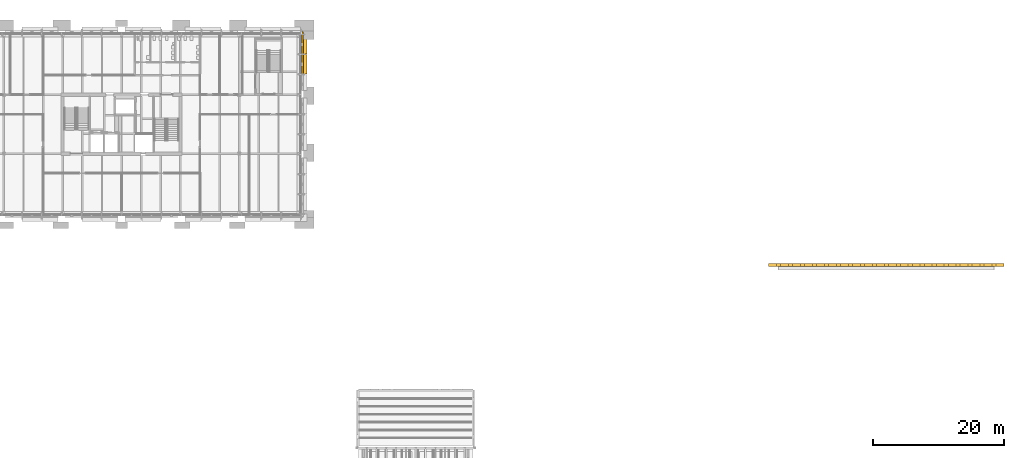
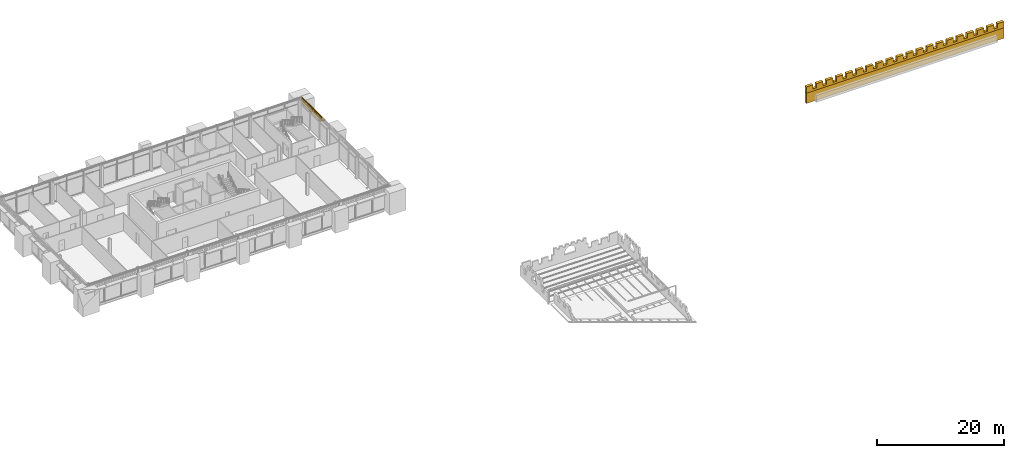
# One storey, part 35 of 37: 4 shading devices, 2 coverings.
"""IFC4 building model written with IfcOpenShell, lengths in metres."""

from ifc_helpers import new_model, si_unit, direction, frame, origin, origin_2d, place, context, subcontext, project, spatial, polyline, rectangle, outline, extrude, material, layer, layer_set, type_object, element, save


model = new_model("IFC4")

# Units and contexts
model_context = context("Model", 3, precision=1e-05, world=origin(), true_north=direction((0.0, 1.0)))
body_context = subcontext(model_context, "Body", "Model", "MODEL_VIEW")
ifc_project = project(units=[si_unit("LENGTHUNIT", "METRE"), si_unit("AREAUNIT", "SQUARE_METRE"), si_unit("VOLUMEUNIT", "CUBIC_METRE"), si_unit("PLANEANGLEUNIT", "RADIAN"), si_unit("MASSUNIT", "GRAM", prefix="KILO")], contexts=[model_context])

# Site, building, storey
site_placement = place(None, origin())
site = spatial("IfcSite", under=ifc_project, at=site_placement, CompositionType="ELEMENT")
building_placement = place(site_placement, origin())
building = spatial("IfcBuilding", under=site, at=building_placement, Name="Baradari Gate Terminus", CompositionType="ELEMENT")
storey_placement = place(building_placement, frame((0.0, 0.0, 24.300048828125)))
storey = spatial("IfcBuildingStorey", under=building, at=storey_placement, Name="L05", CompositionType="ELEMENT", Elevation=24.300048828125)

# Shading devices
ifc_material_1 = material(Name="Concrete C40/50 precast", Category="concrete")
ifc_layer_1 = layer(ifc_material_1, 0.14990234375)
ifc_layer_set_1 = layer_set([ifc_layer_1], Name="Concrete C40/50 precast")
shading_device_type_1 = type_object("IfcShadingDeviceType", Name="Chhajja band CJ-1 900x150", PredefinedType="AWNING", material=ifc_layer_set_1)
shading_device_1_placement = place(storey_placement, frame((63.919921875, 139.679931640625, 3.33251953125), z_axis=(0.0, 0.0, 1.0), x_axis=(0.0, 1.0, 0.0)))
element("IfcShadingDevice", 1, at=shading_device_1_placement, inside=storey, type_object=shading_device_type_1, Name="Chhajja band CJ-1 L05/TE bay 8", PredefinedType="AWNING", context=body_context, shape_type="SweptSolid", body=[
    extrude(rectangle(XDim=2.97998046875, YDim=0.89990234375, at=origin_2d()), origin(), (0.0, 0.0, 1.0), 0.14990234375),
])
shading_device_2_placement = place(storey_placement, frame((63.919921875, 142.7236328125, 3.33251953125), z_axis=(0.0, 0.0, 1.0), x_axis=(0.0, 1.0, 0.0)))
element("IfcShadingDevice", 2, at=shading_device_2_placement, inside=storey, type_object=shading_device_type_1, Name="Chhajja band CJ-1 L05/TE bay 9", PredefinedType="AWNING", context=body_context, shape_type="SweptSolid", body=[
    extrude(rectangle(XDim=2.947509765625, YDim=0.89990234375, at=origin_2d()), origin(), (0.0, 0.0, 1.0), 0.14990234375),
])
ifc_material_2 = material(Name="Concrete C50/60 precast", Category="concrete")
ifc_layer_2 = layer(ifc_material_2, 0.10009765625)
ifc_layer_set_2 = layer_set([ifc_layer_2], Name="Concrete C50/60 precast")
shading_device_type_2 = type_object("IfcShadingDeviceType", Name="Jali screen panel JS-1 100", PredefinedType="SHUTTER", material=ifc_layer_set_2)
shading_device_3_placement = place(storey_placement, frame((63.719970703125, 138.169921875, 3.583740234375), z_axis=(0.0, 0.0, 1.0), x_axis=(0.0, 1.0, 0.0)))
element("IfcShadingDevice", 3, at=shading_device_3_placement, inside=storey, type_object=shading_device_type_2, Name="Jali screen panel JS-1 L05/TE bay 8", PredefinedType="SHUTTER", context=body_context, shape_type="SweptSolid", body=[
    extrude(outline(polyline([(0.0, 0.0), (3.02001953125, 0.0), (3.02001953125, 0.599853515625), (0.0, 0.599853515625), (0.0, 0.0)]), holes=[polyline([(0.345703125, 0.300048828125), (0.28076171875, 0.187255859375), (0.150634765625, 0.187255859375), (0.085693359375, 0.300048828125), (0.150634765625, 0.41259765625), (0.28076171875, 0.41259765625), (0.345703125, 0.300048828125)]), polyline([(0.777099609375, 0.300048828125), (0.712158203125, 0.187255859375), (0.58203125, 0.187255859375), (0.51708984375, 0.300048828125), (0.58203125, 0.41259765625), (0.712158203125, 0.41259765625), (0.777099609375, 0.300048828125)]), polyline([(1.20849609375, 0.300048828125), (1.1435546875, 0.187255859375), (1.013671875, 0.187255859375), (0.948486328125, 0.300048828125), (1.013671875, 0.41259765625), (1.1435546875, 0.41259765625), (1.20849609375, 0.300048828125)]), polyline([(1.639892578125, 0.300048828125), (1.574951171875, 0.187255859375), (1.445068359375, 0.187255859375), (1.3798828125, 0.300048828125), (1.445068359375, 0.41259765625), (1.574951171875, 0.41259765625), (1.639892578125, 0.300048828125)]), polyline([(2.071533203125, 0.300048828125), (2.00634765625, 0.187255859375), (1.87646484375, 0.187255859375), (1.8115234375, 0.300048828125), (1.87646484375, 0.41259765625), (2.00634765625, 0.41259765625), (2.071533203125, 0.300048828125)]), polyline([(2.5029296875, 0.300048828125), (2.437744140625, 0.187255859375), (2.307861328125, 0.187255859375), (2.242919921875, 0.300048828125), (2.307861328125, 0.41259765625), (2.437744140625, 0.41259765625), (2.5029296875, 0.300048828125)]), polyline([(2.934326171875, 0.300048828125), (2.869384765625, 0.187255859375), (2.7392578125, 0.187255859375), (2.67431640625, 0.300048828125), (2.7392578125, 0.41259765625), (2.869384765625, 0.41259765625), (2.934326171875, 0.300048828125)])]), frame((0.0, 0.050048828125, 0.0), z_axis=(0.0, -1.0, 0.0), x_axis=(1.0, 0.0, 0.0)), (0.0, 0.0, 1.0), 0.10009765625),
])
shading_device_4_placement = place(storey_placement, frame((63.719970703125, 141.22998046875, 3.583740234375), z_axis=(0.0, 0.0, 1.0), x_axis=(0.0, 1.0, 0.0)))
element("IfcShadingDevice", 4, at=shading_device_4_placement, inside=storey, type_object=shading_device_type_2, Name="Jali screen panel JS-1 L05/TE bay 9", PredefinedType="SHUTTER", context=body_context, shape_type="SweptSolid", body=[
    extrude(outline(polyline([(0.0, 0.0), (3.407470703125, 0.0), (3.407470703125, 0.599853515625), (0.0, 0.599853515625), (0.0, 0.0)]), holes=[polyline([(0.343017578125, 0.300048828125), (0.278076171875, 0.187255859375), (0.14794921875, 0.187255859375), (0.0830078125, 0.300048828125), (0.14794921875, 0.41259765625), (0.278076171875, 0.41259765625), (0.343017578125, 0.300048828125)]), polyline([(0.768798828125, 0.300048828125), (0.703857421875, 0.187255859375), (0.573974609375, 0.187255859375), (0.5087890625, 0.300048828125), (0.573974609375, 0.41259765625), (0.703857421875, 0.41259765625), (0.768798828125, 0.300048828125)]), polyline([(1.19482421875, 0.300048828125), (1.1298828125, 0.187255859375), (0.999755859375, 0.187255859375), (0.934814453125, 0.300048828125), (0.999755859375, 0.41259765625), (1.1298828125, 0.41259765625), (1.19482421875, 0.300048828125)]), polyline([(1.620849609375, 0.300048828125), (1.5556640625, 0.187255859375), (1.42578125, 0.187255859375), (1.36083984375, 0.300048828125), (1.42578125, 0.41259765625), (1.5556640625, 0.41259765625), (1.620849609375, 0.300048828125)]), polyline([(2.046630859375, 0.300048828125), (1.981689453125, 0.187255859375), (1.851806640625, 0.187255859375), (1.78662109375, 0.300048828125), (1.851806640625, 0.41259765625), (1.981689453125, 0.41259765625), (2.046630859375, 0.300048828125)]), polyline([(2.47265625, 0.300048828125), (2.40771484375, 0.187255859375), (2.277587890625, 0.187255859375), (2.212646484375, 0.300048828125), (2.277587890625, 0.41259765625), (2.40771484375, 0.41259765625), (2.47265625, 0.300048828125)]), polyline([(2.898681640625, 0.300048828125), (2.83349609375, 0.187255859375), (2.70361328125, 0.187255859375), (2.638671875, 0.300048828125), (2.70361328125, 0.41259765625), (2.83349609375, 0.41259765625), (2.898681640625, 0.300048828125)]), polyline([(3.324462890625, 0.300048828125), (3.259521484375, 0.187255859375), (3.129638671875, 0.187255859375), (3.064453125, 0.300048828125), (3.129638671875, 0.41259765625), (3.259521484375, 0.41259765625), (3.324462890625, 0.300048828125)])]), frame((0.0, 0.050048828125, 0.0), z_axis=(0.0, -1.0, 0.0), x_axis=(1.0, 0.0, 0.0)), (0.0, 0.0, 1.0), 0.10009765625),
])

# Coverings
ifc_material_3 = material(Name="Sandstone cladding", Category="masonry")
ifc_layer_3 = layer(ifc_material_3, 0.5)
ifc_layer_set_3 = layer_set([ifc_layer_3], Name="Sandstone cladding")
covering_type_1 = type_object("IfcCoveringType", Name="Pishtaq fascia PF-2 500", PredefinedType="CLADDING", material=ifc_layer_set_3)
covering_1_placement = place(storey_placement, frame((153.0, 108.949951171875, -0.300048828125), z_axis=(0.0, 0.0, 1.0), x_axis=(1.0, 0.0, 0.0)))
element("IfcCovering", 5, at=covering_1_placement, inside=storey, type_object=covering_type_1, Name="Pishtaq fascia PF-2", PredefinedType="CLADDING", context=body_context, shape_type="SweptSolid", body=[
    extrude(rectangle(XDim=36.0, YDim=0.5, at=origin_2d()), origin(), (0.0, 0.0, 1.0), 2.0),
])
ifc_material_4 = material(Name="Sandstone cladding", Category="masonry")
ifc_layer_4 = layer(ifc_material_4, 0.5)
ifc_layer_set_4 = layer_set([ifc_layer_4], Name="Sandstone cladding")
covering_type_2 = type_object("IfcCoveringType", Name="Pishtaq merlon cap PF-4 500", PredefinedType="CLADDING", material=ifc_layer_set_4)
covering_2_placement = place(storey_placement, frame((135.0, 108.949951171875, 1.699951171875), z_axis=(0.0, 0.0, 1.0), x_axis=(1.0, 0.0, 0.0)))
element("IfcCovering", 6, at=covering_2_placement, inside=storey, type_object=covering_type_2, Name="Pishtaq merlon cap PF-4 1", PredefinedType="CLADDING", context=body_context, shape_type="SweptSolid", body=[
    extrude(outline(polyline([(34.800048828125, 1.199951171875), (34.800048828125, 0.39990234375), (34.16845703125, 0.39990234375), (34.16845703125, 1.199951171875), (32.968505859375, 1.199951171875), (32.968505859375, 0.39990234375), (32.3369140625, 0.39990234375), (32.3369140625, 1.199951171875), (31.13671875, 1.199951171875), (31.13671875, 0.39990234375), (30.50537109375, 0.39990234375), (30.50537109375, 1.199951171875), (29.305419921875, 1.199951171875), (29.305419921875, 0.39990234375), (28.673583984375, 0.39990234375), (28.673583984375, 1.199951171875), (27.4736328125, 1.199951171875), (27.4736328125, 0.39990234375), (26.842041015625, 0.39990234375), (26.842041015625, 1.199951171875), (25.64208984375, 1.199951171875), (25.64208984375, 0.39990234375), (25.010498046875, 0.39990234375), (25.010498046875, 1.199951171875), (23.810546875, 1.199951171875), (23.810546875, 0.39990234375), (23.178955078125, 0.39990234375), (23.178955078125, 1.199951171875), (21.97900390625, 1.199951171875), (21.97900390625, 0.39990234375), (21.347412109375, 0.39990234375), (21.347412109375, 1.199951171875), (20.1474609375, 1.199951171875), (20.1474609375, 0.39990234375), (19.515869140625, 0.39990234375), (19.515869140625, 1.199951171875), (18.31591796875, 1.199951171875), (18.31591796875, 0.39990234375), (17.68408203125, 0.39990234375), (17.68408203125, 1.199951171875), (16.484130859375, 1.199951171875), (16.484130859375, 0.39990234375), (15.8525390625, 0.39990234375), (15.8525390625, 1.199951171875), (14.652587890625, 1.199951171875), (14.652587890625, 0.39990234375), (14.02099609375, 0.39990234375), (14.02099609375, 1.199951171875), (12.821044921875, 1.199951171875), (12.821044921875, 0.39990234375), (12.189453125, 0.39990234375), (12.189453125, 1.199951171875), (10.989501953125, 1.199951171875), (10.989501953125, 0.39990234375), (10.35791015625, 0.39990234375), (10.35791015625, 1.199951171875), (9.157958984375, 1.199951171875), (9.157958984375, 0.39990234375), (8.5263671875, 0.39990234375), (8.5263671875, 1.199951171875), (7.326416015625, 1.199951171875), (7.326416015625, 0.39990234375), (6.694580078125, 0.39990234375), (6.694580078125, 1.199951171875), (5.49462890625, 1.199951171875), (5.49462890625, 0.39990234375), (4.86328125, 0.39990234375), (4.86328125, 1.199951171875), (3.6630859375, 1.199951171875), (3.6630859375, 0.39990234375), (3.031494140625, 0.39990234375), (3.031494140625, 1.199951171875), (1.83154296875, 1.199951171875), (1.83154296875, 0.39990234375), (1.199951171875, 0.39990234375), (1.199951171875, 1.199951171875), (0.0, 1.199951171875), (0.0, 0.0), (36.0, 0.0), (36.0, 1.199951171875), (34.800048828125, 1.199951171875)])), frame((0.0, 0.25, 0.0), z_axis=(0.0, -1.0, 0.0), x_axis=(1.0, 0.0, 0.0)), (0.0, 0.0, 1.0), 0.5),
])

save(model, "model.ifc")
